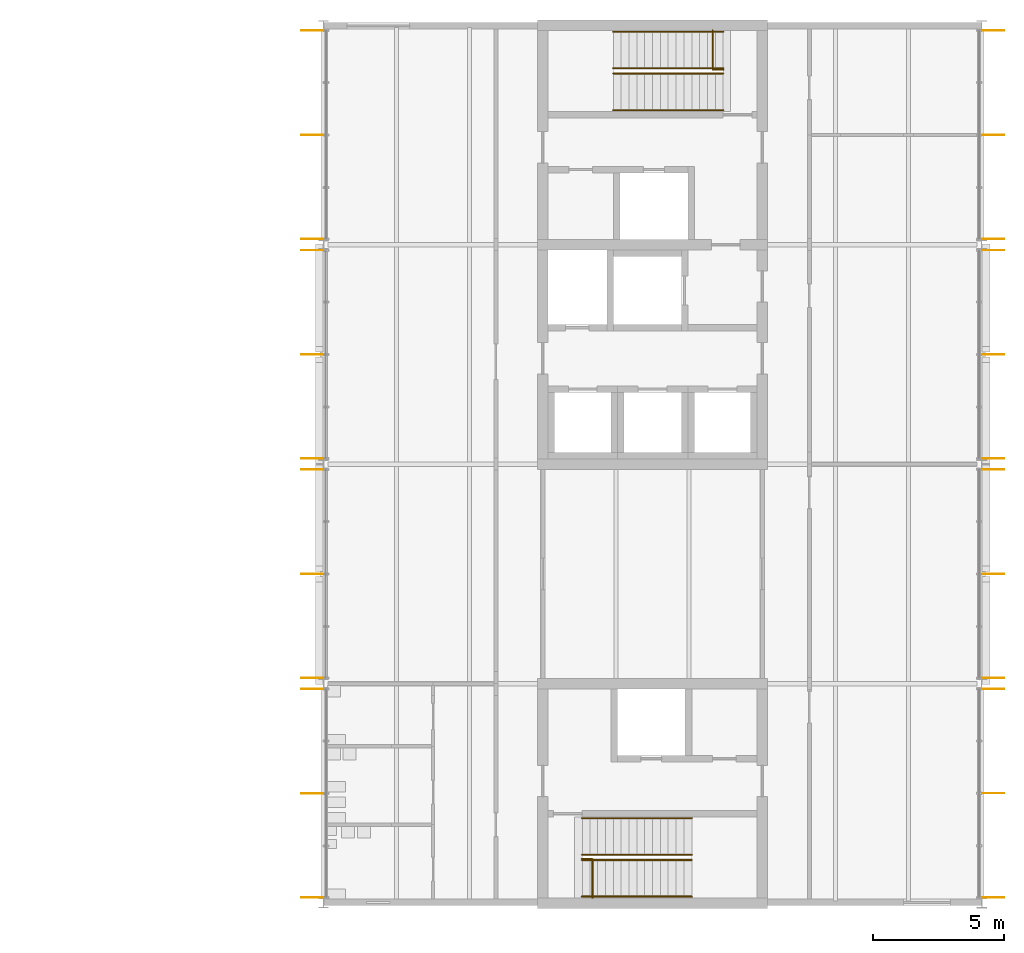
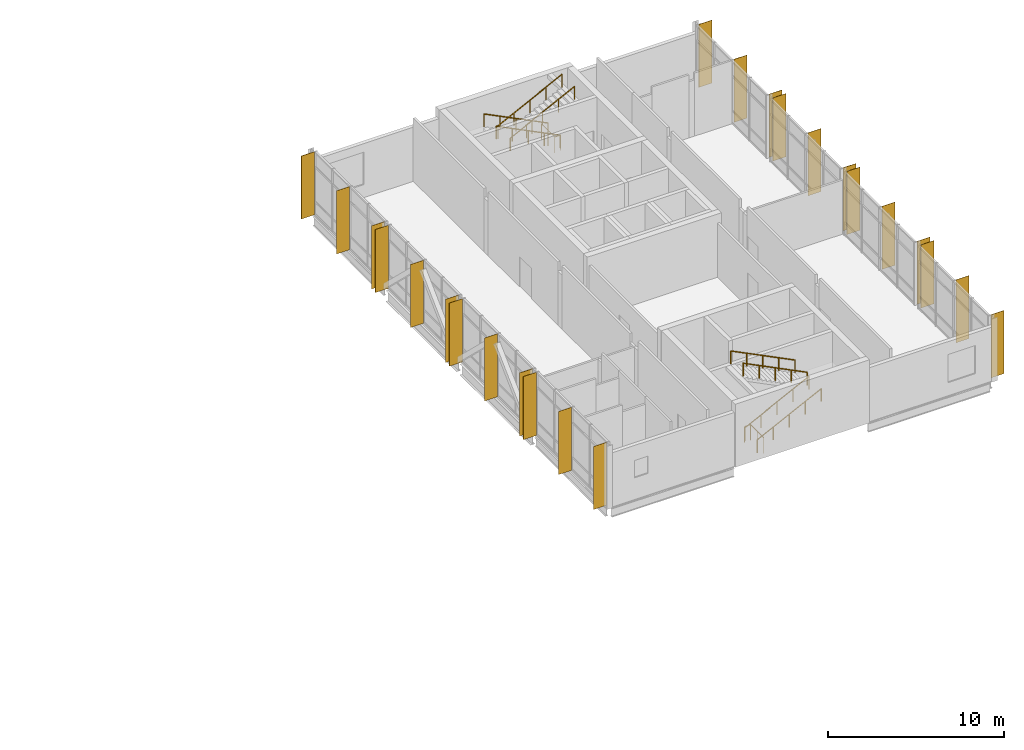
# One storey, part 13 of 14: 24 shading devices, 10 railings.
"""IFC4 building model written with IfcOpenShell, lengths in metres."""

from ifc_helpers import new_model, si_unit, direction, frame, origin, origin_2d, place, context, subcontext, project, spatial, rectangle, circle, extrude, material, layer, layer_set, type_object, element, save


model = new_model("IFC4")

# Units and contexts
model_context = context("Model", 3, precision=1e-05, world=origin(), true_north=direction((0.0, 1.0)))
body_context = subcontext(model_context, "Body", "Model", "MODEL_VIEW")
ifc_project = project(units=[si_unit("LENGTHUNIT", "METRE"), si_unit("AREAUNIT", "SQUARE_METRE"), si_unit("VOLUMEUNIT", "CUBIC_METRE"), si_unit("PLANEANGLEUNIT", "RADIAN"), si_unit("MASSUNIT", "GRAM", prefix="KILO")], contexts=[model_context])

# Site, building, storey
site_placement = place(None, origin())
site = spatial("IfcSite", under=ifc_project, at=site_placement, CompositionType="ELEMENT")
building_placement = place(site_placement, origin())
building = spatial("IfcBuilding", under=site, at=building_placement, Name="Hlaing Beacon Police Headquarters", CompositionType="ELEMENT")
storey_placement = place(building_placement, frame((0.0, 0.0, 27.89990234375)))
storey = spatial("IfcBuildingStorey", under=building, at=storey_placement, Name="L06", CompositionType="ELEMENT", Elevation=27.89990234375)

# Shading devices
ifc_material_1 = material(Name="Aluminium 6063-T5 anodised", Category="aluminium")
ifc_layer = layer(ifc_material_1, 0.01611328125)
ifc_layer_set = layer_set([ifc_layer], Name="Aluminium 6063-T5 anodised")
shading_device_type = type_object("IfcShadingDeviceType", Name="Aluminium fin 16x850", PredefinedType="JALOUSIE", material=ifc_layer_set)
for number, where, z_axis, x_axis, name in (
    (1, (126.425048828125, 33.820556640625, 0.0), (0.0, 0.0, 1.0), (0.0, 1.0, 0.0), "Fin L06 E001.0"),
    (2, (126.425048828125, 37.804443359375, 0.0), (0.0, 0.0, 1.0), (0.0, 1.0, 0.0), "Fin L06 E001.2"),
    (3, (126.425048828125, 41.788330078125, 0.0), (0.0, 0.0, 1.0), (0.0, 1.0, 0.0), "Fin L06 E001.4"),
    (4, (126.425048828125, 42.211669921875, 0.0), (0.0, 0.0, 1.0), (0.0, 1.0, 0.0), "Fin L06 E002.0"),
    (5, (126.425048828125, 46.199951171875, 0.0), (0.0, 0.0, 1.0), (0.0, 1.0, 0.0), "Fin L06 E002.2"),
    (6, (126.425048828125, 50.1884765625, 0.0), (0.0, 0.0, 1.0), (0.0, 1.0, 0.0), "Fin L06 E002.4"),
    (7, (126.425048828125, 50.611572265625, 0.0), (0.0, 0.0, 1.0), (0.0, 1.0, 0.0), "Fin L06 E003.0"),
    (8, (126.425048828125, 54.60009765625, 0.0), (0.0, 0.0, 1.0), (0.0, 1.0, 0.0), "Fin L06 E003.2"),
    (9, (126.425048828125, 58.58837890625, 0.0), (0.0, 0.0, 1.0), (0.0, 1.0, 0.0), "Fin L06 E003.4"),
    (10, (126.425048828125, 59.01171875, 0.0), (0.0, 0.0, 1.0), (0.0, 1.0, 0.0), "Fin L06 E004.0"),
    (11, (126.425048828125, 63.001953125, 0.0), (0.0, 0.0, 1.0), (0.0, 1.0, 0.0), "Fin L06 E004.2"),
    (12, (126.425048828125, 66.9921875, 0.0), (0.0, 0.0, 1.0), (0.0, 1.0, 0.0), "Fin L06 E004.4"),
    (13, (100.375, 66.9921875, 0.0), (0.0, 0.0, 1.0), (0.0, -1.0, 0.0), "Fin L06 W005.0"),
    (14, (100.375, 63.001953125, 0.0), (0.0, 0.0, 1.0), (0.0, -1.0, 0.0), "Fin L06 W005.2"),
    (15, (100.375, 59.01171875, 0.0), (0.0, 0.0, 1.0), (0.0, -1.0, 0.0), "Fin L06 W005.4"),
    (16, (100.375, 58.58837890625, 0.0), (0.0, 0.0, 1.0), (0.0, -1.0, 0.0), "Fin L06 W006.0"),
    (17, (100.375, 54.60009765625, 0.0), (0.0, 0.0, 1.0), (0.0, -1.0, 0.0), "Fin L06 W006.2"),
    (18, (100.375, 50.611572265625, 0.0), (0.0, 0.0, 1.0), (0.0, -1.0, 0.0), "Fin L06 W006.4"),
    (19, (100.375, 50.1884765625, 0.0), (0.0, 0.0, 1.0), (0.0, -1.0, 0.0), "Fin L06 W007.0"),
    (20, (100.375, 46.199951171875, 0.0), (0.0, 0.0, 1.0), (0.0, -1.0, 0.0), "Fin L06 W007.2"),
    (21, (100.375, 42.211669921875, 0.0), (0.0, 0.0, 1.0), (0.0, -1.0, 0.0), "Fin L06 W007.4"),
    (22, (100.375, 41.788330078125, 0.0), (0.0, 0.0, 1.0), (0.0, -1.0, 0.0), "Fin L06 W008.0"),
    (23, (100.375, 37.798095703125, 0.0), (0.0, 0.0, 1.0), (0.0, -1.0, 0.0), "Fin L06 W008.2"),
    (24, (100.375, 33.807861328125, 0.0), (0.0, 0.0, 1.0), (0.0, -1.0, 0.0), "Fin L06 W008.4"),
):
    element("IfcShadingDevice", number, at=place(storey_placement, frame(where, z_axis=z_axis, x_axis=x_axis)), inside=storey, type_object=shading_device_type, Name=name, PredefinedType="JALOUSIE", context=body_context, shape_type="SweptSolid", body=[
        extrude(rectangle(XDim=0.01611328125, YDim=0.85009765625, at=origin_2d()), origin(), (0.0, 0.0, 1.0), 4.3701171875),
    ])

# Railings
ifc_material_2 = material(Name="Stainless steel", Category="steel")
railing_type_1 = type_object("IfcRailingType", Name="Stair guard 1100", PredefinedType="GUARDRAIL", material=ifc_material_2)
railing_1_placement = place(storey_placement, frame((115.699951171875, 67.0, 0.0)))
element("IfcRailing", 25, at=railing_1_placement, inside=storey, type_object=railing_type_1, Name="Guard ST-M", PredefinedType="GUARDRAIL", context=body_context, shape_type="SweptSolid", body=[
    extrude(circle(Radius=0.02392578125, at=origin_2d()), frame((0.0, 0.0, 1.076171875), z_axis=(0.0, -1.0, 0.0), x_axis=(1.0, 0.0, 0.0)), (0.0, 0.0, 1.0), 1.5),
    extrude(circle(Radius=0.02392578125, at=origin_2d()), frame((0.0, -1.5, 1.076171875), z_axis=(1.0, 0.0, 0.0), x_axis=(0.0, 1.0, 0.0)), (0.0, 0.0, 1.0), 0.400146484375),
    extrude(circle(Radius=0.02099609375, at=origin_2d()), origin(), (0.0, 0.0, 1.0), 1.052001953125),
    extrude(circle(Radius=0.02099609375, at=origin_2d()), frame((0.0, -0.75, 0.0)), (0.0, 0.0, 1.0), 1.052001953125),
    extrude(circle(Radius=0.02099609375, at=origin_2d()), frame((0.0, -1.5, 0.0)), (0.0, 0.0, 1.0), 1.052001953125),
    extrude(circle(Radius=0.02099609375, at=origin_2d()), frame((0.400146484375, -1.5, 0.0)), (0.0, 0.0, 1.0), 1.052001953125),
])
railing_2_placement = place(storey_placement, frame((111.10009765625, 33.800048828125, 0.0)))
element("IfcRailing", 26, at=railing_2_placement, inside=storey, type_object=railing_type_1, Name="Guard ST-L", PredefinedType="GUARDRAIL", context=body_context, shape_type="SweptSolid", body=[
    extrude(circle(Radius=0.02392578125, at=origin_2d()), frame((0.0, 0.0, 1.076171875), z_axis=(0.0, 1.0, 0.0), x_axis=(-1.0, 0.0, 0.0)), (0.0, 0.0, 1.0), 1.5),
    extrude(circle(Radius=0.02392578125, at=origin_2d()), frame((0.0, 1.5, 1.076171875), z_axis=(-1.0, 0.0, 0.0), x_axis=(0.0, -1.0, 0.0)), (0.0, 0.0, 1.0), 0.400146484375),
    extrude(circle(Radius=0.02099609375, at=origin_2d()), origin(), (0.0, 0.0, 1.0), 1.052001953125),
    extrude(circle(Radius=0.02099609375, at=origin_2d()), frame((0.0, 0.75, 0.0)), (0.0, 0.0, 1.0), 1.052001953125),
    extrude(circle(Radius=0.02099609375, at=origin_2d()), frame((0.0, 1.5, 0.0)), (0.0, 0.0, 1.0), 1.052001953125),
    extrude(circle(Radius=0.02099609375, at=origin_2d()), frame((-0.400146484375, 1.5, 0.0)), (0.0, 0.0, 1.0), 1.052001953125),
])
ifc_material_3 = material(Name="Stainless steel", Category="steel")
railing_type_2 = type_object("IfcRailingType", Name="Stair handrail 900", PredefinedType="HANDRAIL", material=ifc_material_3)
for number, where, name in (
    (27, (116.10009765625, 66.949951171875, 0.150146484375), "Handrail ST-M"),
    (28, (116.10009765625, 65.550048828125, 0.150146484375), "Handrail ST-M"),
):
    element("IfcRailing", number, at=place(storey_placement, frame(where)), inside=storey, type_object=railing_type_2, Name=name, PredefinedType="HANDRAIL", context=body_context, shape_type="SweptSolid", body=[
        extrude(circle(Radius=0.02392578125, at=origin_2d()), frame((0.0, 0.0, 0.8759765625), z_axis=(-0.894447986312, 0.0, 0.447172002457), x_axis=(0.0, -1.0, 0.0)), (0.0, 0.0, 1.0), 4.69580078125),
        extrude(circle(Radius=0.02099609375, at=origin_2d()), origin(), (0.0, 0.0, 1.0), 0.851806640625),
        extrude(circle(Radius=0.02099609375, at=origin_2d()), frame((-1.050048828125, 0.0, 0.52490234375)), (0.0, 0.0, 1.0), 0.851806640625),
        extrude(circle(Radius=0.02099609375, at=origin_2d()), frame((-2.10009765625, 0.0, 1.0498046875)), (0.0, 0.0, 1.0), 0.851806640625),
        extrude(circle(Radius=0.02099609375, at=origin_2d()), frame((-3.150146484375, 0.0, 1.574951171875)), (0.0, 0.0, 1.0), 0.851806640625),
        extrude(circle(Radius=0.02099609375, at=origin_2d()), frame((-4.2001953125, 0.0, 2.099853515625)), (0.0, 0.0, 1.0), 0.851806640625),
    ])
for number, where, name in (
    (29, (111.89990234375, 65.35009765625, 2.400146484375), "Handrail ST-M"),
    (30, (111.89990234375, 63.949951171875, 2.400146484375), "Handrail ST-M"),
):
    element("IfcRailing", number, at=place(storey_placement, frame(where)), inside=storey, type_object=railing_type_2, Name=name, PredefinedType="HANDRAIL", context=body_context, shape_type="SweptSolid", body=[
        extrude(circle(Radius=0.02392578125, at=origin_2d()), frame((0.0, 0.0, 0.8759765625), z_axis=(0.894447986312, 0.0, 0.447172002457), x_axis=(0.0, 1.0, 0.0)), (0.0, 0.0, 1.0), 4.69580078125),
        extrude(circle(Radius=0.02099609375, at=origin_2d()), origin(), (0.0, 0.0, 1.0), 0.851806640625),
        extrude(circle(Radius=0.02099609375, at=origin_2d()), frame((1.050048828125, 0.0, 0.52490234375)), (0.0, 0.0, 1.0), 0.851806640625),
        extrude(circle(Radius=0.02099609375, at=origin_2d()), frame((2.10009765625, 0.0, 1.0498046875)), (0.0, 0.0, 1.0), 0.851806640625),
        extrude(circle(Radius=0.02099609375, at=origin_2d()), frame((3.150146484375, 0.0, 1.574951171875)), (0.0, 0.0, 1.0), 0.851806640625),
        extrude(circle(Radius=0.02099609375, at=origin_2d()), frame((4.2001953125, 0.0, 2.099853515625)), (0.0, 0.0, 1.0), 0.851806640625),
    ])
for number, where, name in (
    (31, (110.699951171875, 33.85009765625, 0.150146484375), "Handrail ST-L"),
    (32, (110.699951171875, 35.25, 0.150146484375), "Handrail ST-L"),
):
    element("IfcRailing", number, at=place(storey_placement, frame(where)), inside=storey, type_object=railing_type_2, Name=name, PredefinedType="HANDRAIL", context=body_context, shape_type="SweptSolid", body=[
        extrude(circle(Radius=0.02392578125, at=origin_2d()), frame((0.0, 0.0, 0.8759765625), z_axis=(0.894437589381, 0.0, 0.447192798132), x_axis=(0.0, 1.0, 0.0)), (0.0, 0.0, 1.0), 4.695556640625),
        extrude(circle(Radius=0.02099609375, at=origin_2d()), origin(), (0.0, 0.0, 1.0), 0.851806640625),
        extrude(circle(Radius=0.02099609375, at=origin_2d()), frame((1.050048828125, 0.0, 0.52490234375)), (0.0, 0.0, 1.0), 0.851806640625),
        extrude(circle(Radius=0.02099609375, at=origin_2d()), frame((2.10009765625, 0.0, 1.0498046875)), (0.0, 0.0, 1.0), 0.851806640625),
        extrude(circle(Radius=0.02099609375, at=origin_2d()), frame((3.14990234375, 0.0, 1.574951171875)), (0.0, 0.0, 1.0), 0.851806640625),
        extrude(circle(Radius=0.02099609375, at=origin_2d()), frame((4.199951171875, 0.0, 2.099853515625)), (0.0, 0.0, 1.0), 0.851806640625),
    ])
for number, where, name in (
    (33, (114.89990234375, 35.449951171875, 2.400146484375), "Handrail ST-L"),
    (34, (114.89990234375, 36.85009765625, 2.400146484375), "Handrail ST-L"),
):
    element("IfcRailing", number, at=place(storey_placement, frame(where)), inside=storey, type_object=railing_type_2, Name=name, PredefinedType="HANDRAIL", context=body_context, shape_type="SweptSolid", body=[
        extrude(circle(Radius=0.02392578125, at=origin_2d()), frame((0.0, 0.0, 0.8759765625), z_axis=(-0.894437589381, 0.0, 0.447192798132), x_axis=(0.0, -1.0, 0.0)), (0.0, 0.0, 1.0), 4.695556640625),
        extrude(circle(Radius=0.02099609375, at=origin_2d()), origin(), (0.0, 0.0, 1.0), 0.851806640625),
        extrude(circle(Radius=0.02099609375, at=origin_2d()), frame((-1.050048828125, 0.0, 0.52490234375)), (0.0, 0.0, 1.0), 0.851806640625),
        extrude(circle(Radius=0.02099609375, at=origin_2d()), frame((-2.10009765625, 0.0, 1.0498046875)), (0.0, 0.0, 1.0), 0.851806640625),
        extrude(circle(Radius=0.02099609375, at=origin_2d()), frame((-3.14990234375, 0.0, 1.574951171875)), (0.0, 0.0, 1.0), 0.851806640625),
        extrude(circle(Radius=0.02099609375, at=origin_2d()), frame((-4.199951171875, 0.0, 2.099853515625)), (0.0, 0.0, 1.0), 0.851806640625),
    ])

save(model, "model.ifc")
